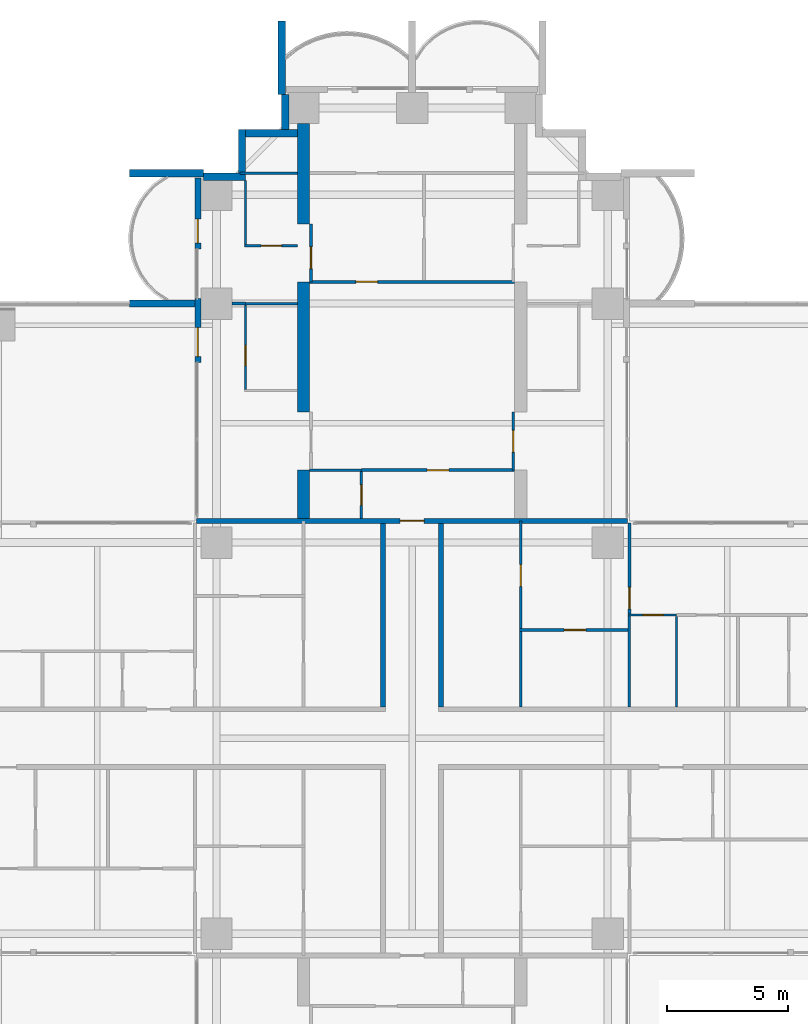
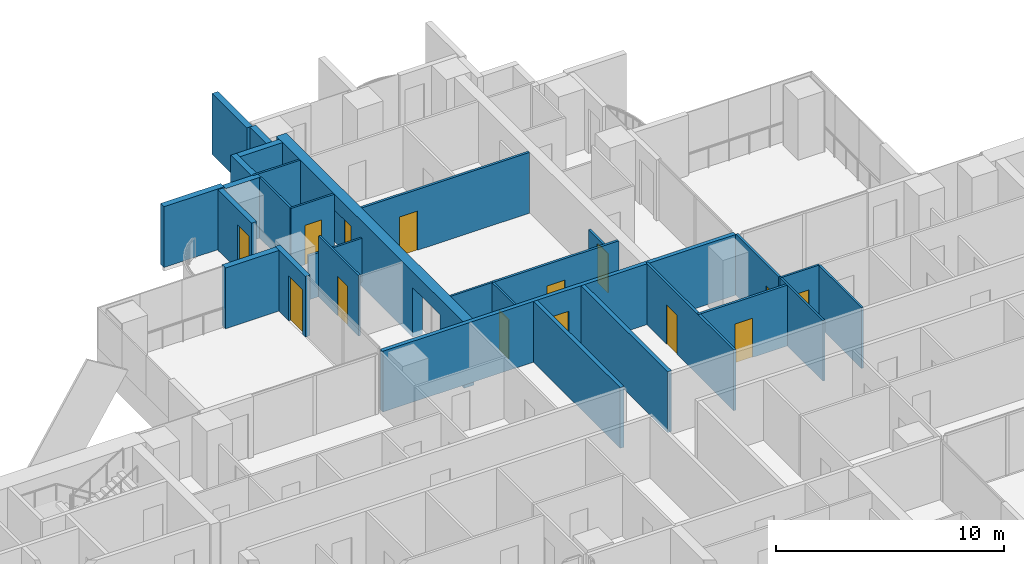
# One storey, part 15 of 23: 31 walls, 14 doors, 14 openings.
"""IFC4 building model written with IfcOpenShell, lengths in metres."""

from ifc_helpers import new_model, si_unit, direction, frame, frame_2d, origin, place, context, subcontext, project, spatial, polyline, rectangle, outline, extrude, material, layer, layer_set, material_profile, profile_set, type_object, element, fill, save


model = new_model("IFC4")

# Units and contexts
model_context = context("Model", 3, precision=1e-05, world=origin(), true_north=direction((0.0, 1.0)))
body_context = subcontext(model_context, "Body", "Model", "MODEL_VIEW")
ifc_project = project(units=[si_unit("LENGTHUNIT", "METRE"), si_unit("AREAUNIT", "SQUARE_METRE"), si_unit("VOLUMEUNIT", "CUBIC_METRE"), si_unit("PLANEANGLEUNIT", "RADIAN"), si_unit("MASSUNIT", "GRAM", prefix="KILO")], contexts=[model_context])

# Site, building, storey
site_placement = place(None, origin())
site = spatial("IfcSite", under=ifc_project, at=site_placement, CompositionType="ELEMENT")
building_placement = place(site_placement, origin())
building = spatial("IfcBuilding", under=site, at=building_placement, Name="Perihelion Cross Residences", CompositionType="ELEMENT")
storey_placement = place(building_placement, frame((0.0, 0.0, 85.5)))
storey = spatial("IfcBuildingStorey", under=building, at=storey_placement, Name="L19", CompositionType="ELEMENT", Elevation=85.5)

# Walls
ifc_material_1 = material(Name="Plasterboard partition")
ifc_layer_1 = layer(ifc_material_1, 0.199951171875)
ifc_layer_set_1 = layer_set([ifc_layer_1], Name="Apartment separation wall 200")
wall_type_1 = type_object("IfcWallType", Name="Apartment separation wall 200", PredefinedType="PARTITIONING", material=ifc_layer_set_1)
for number, where, z_axis, x_axis, name in (
    (1, (1.199951171875, 8.89990234375, 0.0), (0.0, 0.0, 1.0), (0.0, -1.0, 0.0), "Partition L19 W002"),
    (2, (-1.199951171875, 1.300048828125, 0.0), (0.0, 0.0, 1.0), (0.0, 1.0, 0.0), "Partition L19 W006"),
):
    element("IfcWall", number, at=place(storey_placement, frame(where, z_axis=z_axis, x_axis=x_axis)), inside=storey, type_object=wall_type_1, Name=name, PredefinedType="PARTITIONING", context=body_context, shape_type="SweptSolid", body=[
        extrude(rectangle(XDim=7.599853515625, YDim=0.199951171875, at=frame_2d((3.7998046875, 0.0))), origin(), (0.0, 0.0, 1.0), 3.25),
    ])

# Wall, opening, door
wall_1_placement = place(storey_placement, frame((-8.919921875, 9.0, 0.0), z_axis=(0.0, 0.0, 1.0), x_axis=(1.0, 0.0, 0.0)))
wall_1 = element("IfcWall", 3, at=wall_1_placement, inside=storey, type_object=wall_type_1, Name="Partition L19 W009", PredefinedType="PARTITIONING", context=body_context, shape_type="SweptSolid", body=[
    extrude(rectangle(XDim=17.83984375, YDim=0.199951171875, at=frame_2d((8.919921875, 0.0))), origin(), (0.0, 0.0, 1.0), 3.25),
])
opening_1_placement = place(wall_1_placement, frame((8.419921875, 0.0, 0.0)))
opening_1 = element("IfcOpeningElement", 4, at=opening_1_placement, cuts=wall_1, Name="Opening L19.A34", PredefinedType="OPENING", context=body_context, shape_type="SweptSolid", body=[
    extrude(rectangle(XDim=1.0, YDim=2.10009765625, at=frame_2d((0.5, 1.050048828125))), frame((0.0, 0.10986328125, 0.0), z_axis=(0.0, -1.0, 0.0), x_axis=(1.0, 0.0, 0.0)), (0.0, 0.0, 1.0), 0.219970703125),
])
ifc_material_2 = material(Name="Timber door leaf", Category="wood")
door_type_1 = type_object("IfcDoorType", Name="Flat entrance door 1000 x 2100", OperationType="SINGLE_SWING_LEFT", PredefinedType="DOOR", material=ifc_material_2)
door_1_placement = place(opening_1_placement, origin())
door_1 = element("IfcDoor", 5, at=door_1_placement, inside=storey, type_object=door_type_1, Name="Door L19.A34", OperationType="SINGLE_SWING_RIGHT", OverallHeight=2.10009765625, OverallWidth=1.0, PredefinedType="DOOR", context=body_context, shape_type="SweptSolid", body=[
    extrude(rectangle(XDim=1.0, YDim=2.10009765625, at=frame_2d((0.5, 1.050048828125))), frame((0.0, 0.02490234375, 0.0), z_axis=(0.0, -1.0, 0.0), x_axis=(1.0, 0.0, 0.0)), (0.0, 0.0, 1.0), 0.050048828125),
])
fill(opening_1, door_1)

ifc_material_3 = material(Name="Concrete C30/37, bronze-clad", Category="concrete")
ifc_layer_2 = layer(ifc_material_3, 0.25)
ifc_layer_set_2 = layer_set([ifc_layer_2], Name="Bronze-clad pier wall 250")
wall_type_2 = type_object("IfcWallType", Name="Bronze-clad pier wall 250", PredefinedType="SOLIDWALL", material=ifc_layer_set_2)
wall_2_placement = place(storey_placement, frame((-8.875, 23.199951171875, 0.0), z_axis=(0.0, 0.0, 1.0), x_axis=(0.0, -1.0, 0.0)))
wall_2 = element("IfcWall", 6, at=wall_2_placement, inside=storey, type_object=wall_type_2, Name="Wall FW1 L19 north side west bay 1 pier", PredefinedType="SOLIDWALL", context=body_context, shape_type="SweptSolid", body=[
    extrude(rectangle(XDim=2.949951171875, YDim=0.25, at=frame_2d((1.47509765625, 0.0))), origin(), (0.0, 0.0, 1.0), 3.25),
])
opening_2_placement = place(wall_2_placement, frame((1.699951171875, 0.0, 0.0)))
opening_2 = element("IfcOpeningElement", 7, at=opening_2_placement, cuts=wall_2, Name="Opening L19.E06", PredefinedType="OPENING", context=body_context, shape_type="SweptSolid", body=[
    extrude(rectangle(XDim=1.0, YDim=2.39990234375, at=frame_2d((0.5, 1.199951171875))), frame((0.0, 0.135009765625, 0.0), z_axis=(0.0, -1.0, 0.0), x_axis=(1.0, 0.0, 0.0)), (0.0, 0.0, 1.0), 0.27001953125),
])
ifc_material_4 = material(Name="Bronze anodised aluminium, glazed", Category="aluminium")
door_type_2 = type_object("IfcDoorType", Name="Balcony door 1000 x 2400", OperationType="NOTDEFINED", PredefinedType="DOOR", material=ifc_material_4)
door_2_placement = place(opening_2_placement, origin())
door_2 = element("IfcDoor", 8, at=door_2_placement, inside=storey, type_object=door_type_2, Name="Door L19.E06 north side west bay 1", OperationType="SINGLE_SWING_LEFT", OverallHeight=2.39990234375, OverallWidth=1.0, PredefinedType="DOOR", context=body_context, shape_type="SweptSolid", body=[
    extrude(rectangle(XDim=1.0, YDim=2.39990234375, at=frame_2d((0.5, 1.199951171875))), frame((0.0, 0.02490234375, 0.0), z_axis=(0.0, -1.0, 0.0), x_axis=(1.0, 0.0, 0.0)), (0.0, 0.0, 1.0), 0.050048828125),
])
fill(opening_2, door_2)

wall_3_placement = place(storey_placement, frame((-8.875, 18.199951171875, 0.0), z_axis=(0.0, 0.0, 1.0), x_axis=(0.0, -1.0, 0.0)))
wall_3 = element("IfcWall", 9, at=wall_3_placement, inside=storey, type_object=wall_type_2, Name="Wall FW1 L19 north side west bay 2 pier", PredefinedType="SOLIDWALL", context=body_context, shape_type="SweptSolid", body=[
    extrude(rectangle(XDim=2.64990234375, YDim=0.25, at=frame_2d((1.324951171875, 0.0))), origin(), (0.0, 0.0, 1.0), 3.25),
])
opening_3_placement = place(wall_3_placement, frame((1.199951171875, 0.0, 0.0)))
opening_3 = element("IfcOpeningElement", 10, at=opening_3_placement, cuts=wall_3, Name="Opening L19.E07", PredefinedType="OPENING", context=body_context, shape_type="SweptSolid", body=[
    extrude(rectangle(XDim=1.199951171875, YDim=2.39990234375, at=frame_2d((0.60009765625, 1.199951171875))), frame((0.0, 0.135009765625, 0.0), z_axis=(0.0, -1.0, 0.0), x_axis=(1.0, 0.0, 0.0)), (0.0, 0.0, 1.0), 0.27001953125),
])
ifc_material_5 = material(Name="Bronze anodised aluminium, glazed", Category="aluminium")
door_type_3 = type_object("IfcDoorType", Name="Balcony door 1200 x 2400", OperationType="NOTDEFINED", PredefinedType="DOOR", material=ifc_material_5)
door_3_placement = place(opening_3_placement, origin())
door_3 = element("IfcDoor", 11, at=door_3_placement, inside=storey, type_object=door_type_3, Name="Door L19.E07 north side west bay 2", OperationType="SINGLE_SWING_RIGHT", OverallHeight=2.39990234375, OverallWidth=1.199951171875, PredefinedType="DOOR", context=body_context, shape_type="SweptSolid", body=[
    extrude(rectangle(XDim=1.199951171875, YDim=2.39990234375, at=frame_2d((0.60009765625, 1.199951171875))), frame((0.0, 0.02490234375, 0.0), z_axis=(0.0, -1.0, 0.0), x_axis=(1.0, 0.0, 0.0)), (0.0, 0.0, 1.0), 0.050048828125),
])
fill(opening_3, door_3)

# Walls
ifc_material_6 = material(Name="Concrete C30/37, bronze-clad", Category="concrete")
ifc_layer_3 = layer(ifc_material_6, 0.300048828125)
ifc_layer_set_3 = layer_set([ifc_layer_3], Name="Bronze-clad serration wall 300")
wall_type_3 = type_object("IfcWallType", Name="Bronze-clad serration wall 300", PredefinedType="SOLIDWALL", material=ifc_layer_set_3)
wall_4_placement = place(storey_placement, frame((-5.25, 26.64990234375, 0.0), z_axis=(0.0, 0.0, 1.0), x_axis=(0.0, -1.0, 0.0)))
element("IfcWall", 12, at=wall_4_placement, inside=storey, type_object=wall_type_3, Name="Wall SR1 L19 north corner north-west 1", PredefinedType="SOLIDWALL", context=body_context, shape_type="SweptSolid", body=[
    extrude(rectangle(XDim=1.449951171875, YDim=0.300048828125, at=frame_2d((0.72509765625, 0.0))), origin(), (0.0, 0.0, 1.0), 3.25),
])
wall_5_placement = place(storey_placement, frame((-4.75, 25.050048828125, 0.0), z_axis=(0.0, 0.0, 1.0), x_axis=(-1.0, 0.0, 0.0)))
element("IfcWall", 13, at=wall_5_placement, inside=storey, type_object=wall_type_3, Name="Wall SR1 L19 north corner north-west 2", PredefinedType="SOLIDWALL", context=body_context, shape_type="SweptSolid", body=[
    extrude(rectangle(XDim=2.14990234375, YDim=0.300048828125, at=frame_2d((1.074951171875, 0.0))), origin(), (0.0, 0.0, 1.0), 3.25),
])
wall_6_placement = place(storey_placement, frame((-7.050048828125, 25.199951171875, 0.0), z_axis=(0.0, 0.0, 1.0), x_axis=(0.0, -1.0, 0.0)))
element("IfcWall", 14, at=wall_6_placement, inside=storey, type_object=wall_type_3, Name="Wall SR1 L19 north corner north-west 3", PredefinedType="SOLIDWALL", context=body_context, shape_type="SweptSolid", body=[
    extrude(rectangle(XDim=1.800048828125, YDim=0.300048828125, at=frame_2d((0.89990234375, 0.0))), origin(), (0.0, 0.0, 1.0), 3.25),
])
wall_7_placement = place(storey_placement, frame((-6.89990234375, 23.25, 0.0), z_axis=(0.0, 0.0, 1.0), x_axis=(-1.0, 0.0, 0.0)))
element("IfcWall", 15, at=wall_7_placement, inside=storey, type_object=wall_type_3, Name="Wall SR1 L19 north corner north-west 4", PredefinedType="SOLIDWALL", context=body_context, shape_type="SweptSolid", body=[
    extrude(rectangle(XDim=1.75, YDim=0.300048828125, at=frame_2d((0.875, 0.0))), origin(), (0.0, 0.0, 1.0), 3.25),
])

# Wall, opening, door
ifc_material_7 = material(Name="Plasterboard partition")
ifc_layer_4 = layer(ifc_material_7, 0.1201171875)
ifc_layer_set_4 = layer_set([ifc_layer_4], Name="Infill panel 120")
wall_type_4 = type_object("IfcWallType", Name="Infill panel 120", PredefinedType="PARTITIONING", material=ifc_layer_set_4)
wall_8_placement = place(storey_placement, frame((4.18994140625, 11.10009765625, 0.0), z_axis=(0.0, 0.0, 1.0), x_axis=(0.0, 1.0, 0.0)))
wall_8 = element("IfcWall", 16, at=wall_8_placement, inside=storey, type_object=wall_type_4, Name="Partition L19 WI01", PredefinedType="PARTITIONING", context=body_context, shape_type="SweptSolid", body=[
    extrude(rectangle(XDim=2.39990234375, YDim=0.1201171875, at=frame_2d((1.199951171875, 0.0))), origin(), (0.0, 0.0, 1.0), 2.39990234375),
])
opening_4_placement = place(wall_8_placement, frame((0.75, 0.0, 0.0)))
opening_4 = element("IfcOpeningElement", 17, at=opening_4_placement, cuts=wall_8, Name="Opening L19.A57", PredefinedType="OPENING", context=body_context, shape_type="SweptSolid", body=[
    extrude(rectangle(XDim=0.89990234375, YDim=2.10009765625, at=frame_2d((0.449951171875, 1.050048828125))), frame((0.0, 0.070068359375, 0.0), z_axis=(0.0, -1.0, 0.0), x_axis=(1.0, 0.0, 0.0)), (0.0, 0.0, 1.0), 0.14013671875),
])
ifc_material_8 = material(Name="Timber door leaf", Category="wood")
door_type_4 = type_object("IfcDoorType", Name="Interior room door 900 x 2100", OperationType="SINGLE_SWING_LEFT", PredefinedType="DOOR", material=ifc_material_8)
door_4_placement = place(opening_4_placement, origin())
door_4 = element("IfcDoor", 18, at=door_4_placement, inside=storey, type_object=door_type_4, Name="Door L19.A57", OperationType="SINGLE_SWING_LEFT", OverallHeight=2.10009765625, OverallWidth=0.89990234375, PredefinedType="DOOR", context=body_context, shape_type="SweptSolid", body=[
    extrude(rectangle(XDim=0.89990234375, YDim=2.10009765625, at=frame_2d((0.449951171875, 1.050048828125))), frame((0.0, 0.02490234375, 0.0), z_axis=(0.0, -1.0, 0.0), x_axis=(1.0, 0.0, 0.0)), (0.0, 0.0, 1.0), 0.050048828125),
])
fill(opening_4, door_4)

wall_9_placement = place(storey_placement, frame((-4.18994140625, 18.89990234375, 0.0), z_axis=(0.0, 0.0, 1.0), x_axis=(0.0, 1.0, 0.0)))
wall_9 = element("IfcWall", 19, at=wall_9_placement, inside=storey, type_object=wall_type_4, Name="Partition L19 WI04", PredefinedType="PARTITIONING", context=body_context, shape_type="SweptSolid", body=[
    extrude(rectangle(XDim=2.400146484375, YDim=0.1201171875, at=frame_2d((1.2001953125, 0.0))), origin(), (0.0, 0.0, 1.0), 2.39990234375),
])
opening_5_placement = place(wall_9_placement, frame((0.550048828125, 0.0, 0.0)))
opening_5 = element("IfcOpeningElement", 20, at=opening_5_placement, cuts=wall_9, Name="Opening L19.A60", PredefinedType="OPENING", context=body_context, shape_type="SweptSolid", body=[
    extrude(rectangle(XDim=0.89990234375, YDim=2.10009765625, at=frame_2d((0.449951171875, 1.050048828125))), frame((0.0, 0.070068359375, 0.0), z_axis=(0.0, -1.0, 0.0), x_axis=(1.0, 0.0, 0.0)), (0.0, 0.0, 1.0), 0.14013671875),
])
door_5_placement = place(opening_5_placement, origin())
door_5 = element("IfcDoor", 21, at=door_5_placement, inside=storey, type_object=door_type_4, Name="Door L19.A60", OperationType="SINGLE_SWING_LEFT", OverallHeight=2.10009765625, OverallWidth=0.89990234375, PredefinedType="DOOR", context=body_context, shape_type="SweptSolid", body=[
    extrude(rectangle(XDim=0.89990234375, YDim=2.10009765625, at=frame_2d((0.449951171875, 1.050048828125))), frame((0.0, 0.02490234375, 0.0), z_axis=(0.0, -1.0, 0.0), x_axis=(1.0, 0.0, 0.0)), (0.0, 0.0, 1.0), 0.050048828125),
])
fill(opening_5, door_5)

ifc_material_9 = material(Name="Plasterboard partition")
ifc_layer_5 = layer(ifc_material_9, 0.1201171875)
ifc_layer_set_5 = layer_set([ifc_layer_5], Name="Partition wall 120")
wall_type_5 = type_object("IfcWallType", Name="Partition wall 120", PredefinedType="PARTITIONING", material=ifc_layer_set_5)
wall_10_placement = place(storey_placement, frame((9.0, 5.10009765625, 0.0), z_axis=(0.0, 0.0, 1.0), x_axis=(0.0, 1.0, 0.0)))
wall_10 = element("IfcWall", 22, at=wall_10_placement, inside=storey, type_object=wall_type_5, Name="Partition L19 W018", PredefinedType="PARTITIONING", context=body_context, shape_type="SweptSolid", body=[
    extrude(rectangle(XDim=3.81982421875, YDim=0.1201171875, at=frame_2d((1.909912109375, 0.0))), origin(), (0.0, 0.0, 1.0), 3.25),
])
opening_6_placement = place(wall_10_placement, frame((0.25, 0.0, 0.0)))
opening_6 = element("IfcOpeningElement", 23, at=opening_6_placement, cuts=wall_10, Name="Opening L19.A05", PredefinedType="OPENING", context=body_context, shape_type="SweptSolid", body=[
    extrude(rectangle(XDim=0.89990234375, YDim=2.10009765625, at=frame_2d((0.449951171875, 1.050048828125))), frame((0.0, 0.070068359375, 0.0), z_axis=(0.0, -1.0, 0.0), x_axis=(1.0, 0.0, 0.0)), (0.0, 0.0, 1.0), 0.14013671875),
])
door_6_placement = place(opening_6_placement, origin())
door_6 = element("IfcDoor", 24, at=door_6_placement, inside=storey, type_object=door_type_4, Name="Door L19.A05", OperationType="SINGLE_SWING_LEFT", OverallHeight=2.10009765625, OverallWidth=0.89990234375, PredefinedType="DOOR", context=body_context, shape_type="SweptSolid", body=[
    extrude(rectangle(XDim=0.89990234375, YDim=2.10009765625, at=frame_2d((0.449951171875, 1.050048828125))), frame((0.0, 0.02490234375, 0.0), z_axis=(0.0, -1.0, 0.0), x_axis=(1.0, 0.0, 0.0)), (0.0, 0.0, 1.0), 0.050048828125),
])
fill(opening_6, door_6)

wall_11_placement = place(storey_placement, frame((4.43994140625, 4.47607421875, 0.0), z_axis=(0.0, 0.0, 1.0), x_axis=(1.0, 0.0, 0.0)))
wall_11 = element("IfcWall", 25, at=wall_11_placement, inside=storey, type_object=wall_type_5, Name="Partition L19 W019", PredefinedType="PARTITIONING", context=body_context, shape_type="SweptSolid", body=[
    extrude(rectangle(XDim=4.610107421875, YDim=0.1201171875, at=frame_2d((2.30517578125, 0.0))), origin(), (0.0, 0.0, 1.0), 3.25),
])
opening_7_placement = place(wall_11_placement, frame((1.860107421875, 0.0, 0.0)))
opening_7 = element("IfcOpeningElement", 26, at=opening_7_placement, cuts=wall_11, Name="Opening L19.A03", PredefinedType="OPENING", context=body_context, shape_type="SweptSolid", body=[
    extrude(rectangle(XDim=0.89990234375, YDim=2.10009765625, at=frame_2d((0.449951171875, 1.050048828125))), frame((0.0, 0.070068359375, 0.0), z_axis=(0.0, -1.0, 0.0), x_axis=(1.0, 0.0, 0.0)), (0.0, 0.0, 1.0), 0.14013671875),
])
door_7_placement = place(opening_7_placement, origin())
door_7 = element("IfcDoor", 27, at=door_7_placement, inside=storey, type_object=door_type_4, Name="Door L19.A03", OperationType="SINGLE_SWING_RIGHT", OverallHeight=2.10009765625, OverallWidth=0.89990234375, PredefinedType="DOOR", context=body_context, shape_type="SweptSolid", body=[
    extrude(rectangle(XDim=0.89990234375, YDim=2.10009765625, at=frame_2d((0.449951171875, 1.050048828125))), frame((0.0, 0.02490234375, 0.0), z_axis=(0.0, -1.0, 0.0), x_axis=(1.0, 0.0, 0.0)), (0.0, 0.0, 1.0), 0.050048828125),
])
fill(opening_7, door_7)

wall_12_placement = place(storey_placement, frame((4.5, 1.300048828125, 0.0), z_axis=(0.0, 0.0, 1.0), x_axis=(0.0, 1.0, 0.0)))
wall_12 = element("IfcWall", 28, at=wall_12_placement, inside=storey, type_object=wall_type_5, Name="Partition L19 W020", PredefinedType="PARTITIONING", context=body_context, shape_type="SweptSolid", body=[
    extrude(rectangle(XDim=7.699951171875, YDim=0.1201171875, at=frame_2d((3.85009765625, 0.0))), origin(), (0.0, 0.0, 1.0), 3.25),
])
opening_8_placement = place(wall_12_placement, frame((4.988037109375, 0.0, 0.0)))
opening_8 = element("IfcOpeningElement", 29, at=opening_8_placement, cuts=wall_12, Name="Opening L19.A04", PredefinedType="OPENING", context=body_context, shape_type="SweptSolid", body=[
    extrude(rectangle(XDim=0.89990234375, YDim=2.10009765625, at=frame_2d((0.449951171875, 1.050048828125))), frame((0.0, 0.070068359375, 0.0), z_axis=(0.0, -1.0, 0.0), x_axis=(1.0, 0.0, 0.0)), (0.0, 0.0, 1.0), 0.14013671875),
])
door_8_placement = place(opening_8_placement, origin())
door_8 = element("IfcDoor", 30, at=door_8_placement, inside=storey, type_object=door_type_4, Name="Door L19.A04", OperationType="SINGLE_SWING_LEFT", OverallHeight=2.10009765625, OverallWidth=0.89990234375, PredefinedType="DOOR", context=body_context, shape_type="SweptSolid", body=[
    extrude(rectangle(XDim=0.89990234375, YDim=2.10009765625, at=frame_2d((0.449951171875, 1.050048828125))), frame((0.0, 0.02490234375, 0.0), z_axis=(0.0, -1.0, 0.0), x_axis=(1.0, 0.0, 0.0)), (0.0, 0.0, 1.0), 0.050048828125),
])
fill(opening_8, door_8)

wall_13_placement = place(storey_placement, frame((-2.10009765625, 11.10009765625, 0.0), z_axis=(0.0, 0.0, 1.0), x_axis=(1.0, 0.0, 0.0)))
wall_13 = element("IfcWall", 31, at=wall_13_placement, inside=storey, type_object=wall_type_5, Name="Partition L19 W050", PredefinedType="PARTITIONING", context=body_context, shape_type="SweptSolid", body=[
    extrude(rectangle(XDim=6.35009765625, YDim=0.1201171875, at=frame_2d((3.175048828125, 0.0))), origin(), (0.0, 0.0, 1.0), 3.25),
])
opening_9_placement = place(wall_13_placement, frame((2.72509765625, 0.0, 0.0)))
opening_9 = element("IfcOpeningElement", 32, at=opening_9_placement, cuts=wall_13, Name="Opening L19.A36", PredefinedType="OPENING", context=body_context, shape_type="SweptSolid", body=[
    extrude(rectangle(XDim=0.89990234375, YDim=2.10009765625, at=frame_2d((0.449951171875, 1.050048828125))), frame((0.0, 0.070068359375, 0.0), z_axis=(0.0, -1.0, 0.0), x_axis=(1.0, 0.0, 0.0)), (0.0, 0.0, 1.0), 0.14013671875),
])
door_9_placement = place(opening_9_placement, origin())
door_9 = element("IfcDoor", 33, at=door_9_placement, inside=storey, type_object=door_type_4, Name="Door L19.A36", OperationType="SINGLE_SWING_RIGHT", OverallHeight=2.10009765625, OverallWidth=0.89990234375, PredefinedType="DOOR", context=body_context, shape_type="SweptSolid", body=[
    extrude(rectangle(XDim=0.89990234375, YDim=2.10009765625, at=frame_2d((0.449951171875, 1.050048828125))), frame((0.0, 0.02490234375, 0.0), z_axis=(0.0, -1.0, 0.0), x_axis=(1.0, 0.0, 0.0)), (0.0, 0.0, 1.0), 0.050048828125),
])
fill(opening_9, door_9)

wall_14_placement = place(storey_placement, frame((-4.25, 18.89990234375, 0.0), z_axis=(0.0, 0.0, 1.0), x_axis=(1.0, 0.0, 0.0)))
wall_14 = element("IfcWall", 34, at=wall_14_placement, inside=storey, type_object=wall_type_5, Name="Partition L19 W052", PredefinedType="PARTITIONING", context=body_context, shape_type="SweptSolid", body=[
    extrude(rectangle(XDim=8.5, YDim=0.1201171875, at=frame_2d((4.25, 0.0))), origin(), (0.0, 0.0, 1.0), 3.25),
])
opening_10_placement = place(wall_14_placement, frame((1.925048828125, 0.0, 0.0)))
opening_10 = element("IfcOpeningElement", 35, at=opening_10_placement, cuts=wall_14, Name="Opening L19.A37", PredefinedType="OPENING", context=body_context, shape_type="SweptSolid", body=[
    extrude(rectangle(XDim=0.89990234375, YDim=2.10009765625, at=frame_2d((0.449951171875, 1.050048828125))), frame((0.0, 0.070068359375, 0.0), z_axis=(0.0, -1.0, 0.0), x_axis=(1.0, 0.0, 0.0)), (0.0, 0.0, 1.0), 0.14013671875),
])
door_10_placement = place(opening_10_placement, origin())
door_10 = element("IfcDoor", 36, at=door_10_placement, inside=storey, type_object=door_type_4, Name="Door L19.A37", OperationType="SINGLE_SWING_RIGHT", OverallHeight=2.10009765625, OverallWidth=0.89990234375, PredefinedType="DOOR", context=body_context, shape_type="SweptSolid", body=[
    extrude(rectangle(XDim=0.89990234375, YDim=2.10009765625, at=frame_2d((0.449951171875, 1.050048828125))), frame((0.0, 0.02490234375, 0.0), z_axis=(0.0, -1.0, 0.0), x_axis=(1.0, 0.0, 0.0)), (0.0, 0.0, 1.0), 0.050048828125),
])
fill(opening_10, door_10)

# Walls
wall_15_placement = place(storey_placement, frame((-7.449951171875, 18.0, 0.0), z_axis=(0.0, 0.0, 1.0), x_axis=(1.0, 0.0, 0.0)))
element("IfcWall", 37, at=wall_15_placement, inside=storey, type_object=wall_type_5, Name="Partition L19 W064", PredefinedType="PARTITIONING", context=body_context, shape_type="SweptSolid", body=[
    extrude(rectangle(XDim=0.550048828125, YDim=0.1201171875, at=frame_2d((0.27490234375, 0.0))), origin(), (0.0, 0.0, 1.0), 2.345947265625),
])
ifc_material_10 = material(Name="Precast concrete C50/60", Category="concrete")
ifc_layer_6 = layer(ifc_material_10, 0.300048828125)
ifc_layer_set_6 = layer_set([ifc_layer_6], Name="Precast concrete C50/60 blade wall 300")
wall_type_6 = type_object("IfcWallType", Name="Precast concrete C50/60 blade wall 300", PredefinedType="SOLIDWALL", material=ifc_layer_set_6)
wall_16_placement = place(storey_placement, frame((-8.75, 18.0, 0.0), z_axis=(0.0, 0.0, 1.0), x_axis=(-1.0, 0.0, 0.0)))
element("IfcWall", 38, at=wall_16_placement, inside=storey, type_object=wall_type_6, Name="Wall BL1 L19 no. 7", PredefinedType="SOLIDWALL", context=body_context, shape_type="SweptSolid", body=[
    extrude(rectangle(XDim=2.949951171875, YDim=0.300048828125, at=frame_2d((1.47509765625, 0.0))), origin(), (0.0, 0.0, 1.0), 3.25),
])
for number, where, z_axis, x_axis, name in (
    (39, (-8.64990234375, 23.39990234375, 0.0), (0.0, 0.0, 1.0), (-1.0, 0.0, 0.0), "Wall BL1 L19 no. 8"),
    (40, (-5.39990234375, 26.64990234375, 0.0), (0.0, 0.0, 1.0), (0.0, 1.0, 0.0), "Wall BL1 L19 no. 4"),
):
    element("IfcWall", number, at=place(storey_placement, frame(where, z_axis=z_axis, x_axis=x_axis)), inside=storey, type_object=wall_type_6, Name=name, PredefinedType="SOLIDWALL", context=body_context, shape_type="SweptSolid", body=[
        extrude(rectangle(XDim=3.050048828125, YDim=0.300048828125, at=frame_2d((1.52490234375, 0.0))), origin(), (0.0, 0.0, 1.0), 3.25),
    ])
ifc_material_11 = material(Name="Concrete C60/75", Category="concrete")
ifc_material_profile = material_profile(ifc_material_11, outline(polyline([(0.0, 0.0), (2.10009765625, 0.0), (2.10009765625, 2.64990234375), (4.5, 2.64990234375), (4.5, 0.0), (9.89990234375, 0.0), (9.89990234375, 2.64990234375), (12.300048828125, 2.64990234375), (12.300048828125, 0.0), (16.449951171875, 0.0), (16.449951171875, 3.5), (0.0, 3.5), (0.0, 0.0)])), Name="Tip spine wall")
ifc_profile_set = profile_set([ifc_material_profile], Name="Concrete C60/75")
wall_type_7 = type_object("IfcWallType", Name="Tip spine wall 500 with 2 door openings 16450 long 3500 high concrete C60/75 hand B", PredefinedType="SHEAR", material=ifc_profile_set)
wall_17_placement = place(storey_placement, frame((-4.75, 9.0, -0.25), z_axis=(1.0, 0.0, 0.0), x_axis=(0.0, 1.0, 0.0)))
element("IfcWall", 41, at=wall_17_placement, inside=storey, type_object=wall_type_7, Name="Shear wall SW23 L19 north west", PredefinedType="SHEAR", context=body_context, shape_type="SweptSolid", body=[
    extrude(outline(polyline([(0.0, 0.0), (2.10009765625, 0.0), (2.10009765625, 2.64990234375), (4.5, 2.64990234375), (4.5, 0.0), (9.89990234375, 0.0), (9.89990234375, 2.64990234375), (12.300048828125, 2.64990234375), (12.300048828125, 0.0), (16.449951171875, 0.0), (16.449951171875, 3.5), (0.0, 3.5), (0.0, 0.0)])), origin(), (0.0, 0.0, 1.0), 0.5),
])
ifc_material_12 = material(Name="Plasterboard partition")
ifc_layer_7 = layer(ifc_material_12, 0.10009765625)
ifc_layer_set_7 = layer_set([ifc_layer_7], Name="Wet room wall 100")
wall_type_8 = type_object("IfcWallType", Name="Wet room wall 100", PredefinedType="PARTITIONING", material=ifc_layer_set_7)
wall_18_placement = place(storey_placement, frame((10.949951171875, 5.0400390625, 0.0), z_axis=(0.0, 0.0, 1.0), x_axis=(0.0, -1.0, 0.0)))
element("IfcWall", 42, at=wall_18_placement, inside=storey, type_object=wall_type_8, Name="Partition L19 W011", PredefinedType="PARTITIONING", context=body_context, shape_type="SweptSolid", body=[
    extrude(rectangle(XDim=3.739990234375, YDim=0.10009765625, at=frame_2d((1.8701171875, 0.0))), origin(), (0.0, 0.0, 1.0), 3.25),
])

# Wall, opening, door
wall_19_placement = place(storey_placement, frame((8.93994140625, 5.10009765625, 0.0), z_axis=(0.0, 0.0, 1.0), x_axis=(1.0, 0.0, 0.0)))
wall_19 = element("IfcWall", 43, at=wall_19_placement, inside=storey, type_object=wall_type_8, Name="Partition L19 W012", PredefinedType="PARTITIONING", context=body_context, shape_type="SweptSolid", body=[
    extrude(rectangle(XDim=2.010009765625, YDim=0.10009765625, at=frame_2d((1.0048828125, 0.0))), origin(), (0.0, 0.0, 1.0), 3.25),
])
opening_11_placement = place(wall_19_placement, frame((0.610107421875, 0.0, 0.0)))
opening_11 = element("IfcOpeningElement", 44, at=opening_11_placement, cuts=wall_19, Name="Opening L19.A01", PredefinedType="OPENING", context=body_context, shape_type="SweptSolid", body=[
    extrude(rectangle(XDim=0.85009765625, YDim=2.10009765625, at=frame_2d((0.425048828125, 1.050048828125))), frame((0.0, 0.06005859375, 0.0), z_axis=(0.0, -1.0, 0.0), x_axis=(1.0, 0.0, 0.0)), (0.0, 0.0, 1.0), 0.1201171875),
])
ifc_material_13 = material(Name="Timber door leaf", Category="wood")
door_type_5 = type_object("IfcDoorType", Name="Interior bathroom door 850 x 2100", OperationType="SINGLE_SWING_LEFT", PredefinedType="DOOR", material=ifc_material_13)
door_11_placement = place(opening_11_placement, origin())
door_11 = element("IfcDoor", 45, at=door_11_placement, inside=storey, type_object=door_type_5, Name="Door L19.A01", OperationType="SINGLE_SWING_LEFT", OverallHeight=2.10009765625, OverallWidth=0.85009765625, PredefinedType="DOOR", context=body_context, shape_type="SweptSolid", body=[
    extrude(rectangle(XDim=0.85009765625, YDim=2.10009765625, at=frame_2d((0.425048828125, 1.050048828125))), frame((0.0, 0.02490234375, 0.0), z_axis=(0.0, -1.0, 0.0), x_axis=(1.0, 0.0, 0.0)), (0.0, 0.0, 1.0), 0.050048828125),
])
fill(opening_11, door_11)

# Wall
wall_20_placement = place(storey_placement, frame((9.0, 1.300048828125, 0.0), z_axis=(0.0, 0.0, 1.0), x_axis=(0.0, 1.0, 0.0)))
element("IfcWall", 46, at=wall_20_placement, inside=storey, type_object=wall_type_8, Name="Partition L19 W013", PredefinedType="PARTITIONING", context=body_context, shape_type="SweptSolid", body=[
    extrude(rectangle(XDim=3.800048828125, YDim=0.10009765625, at=frame_2d((1.89990234375, 0.0))), origin(), (0.0, 0.0, 1.0), 3.25),
])

# Wall, opening, door
wall_21_placement = place(storey_placement, frame((-2.10009765625, 9.10009765625, 0.0), z_axis=(0.0, 0.0, 1.0), x_axis=(0.0, 1.0, 0.0)))
wall_21 = element("IfcWall", 47, at=wall_21_placement, inside=storey, type_object=wall_type_8, Name="Partition L19 W049", PredefinedType="PARTITIONING", context=body_context, shape_type="SweptSolid", body=[
    extrude(rectangle(XDim=1.93994140625, YDim=0.10009765625, at=frame_2d((0.969970703125, 0.0))), origin(), (0.0, 0.0, 1.0), 3.25),
])
opening_12_placement = place(wall_21_placement, frame((0.544921875, 0.0, 0.0)))
opening_12 = element("IfcOpeningElement", 48, at=opening_12_placement, cuts=wall_21, Name="Opening L19.A35", PredefinedType="OPENING", context=body_context, shape_type="SweptSolid", body=[
    extrude(rectangle(XDim=0.85009765625, YDim=2.10009765625, at=frame_2d((0.425048828125, 1.050048828125))), frame((0.0, 0.06005859375, 0.0), z_axis=(0.0, -1.0, 0.0), x_axis=(1.0, 0.0, 0.0)), (0.0, 0.0, 1.0), 0.1201171875),
])
door_12_placement = place(opening_12_placement, origin())
door_12 = element("IfcDoor", 49, at=door_12_placement, inside=storey, type_object=door_type_5, Name="Door L19.A35", OperationType="SINGLE_SWING_LEFT", OverallHeight=2.10009765625, OverallWidth=0.85009765625, PredefinedType="DOOR", context=body_context, shape_type="SweptSolid", body=[
    extrude(rectangle(XDim=0.85009765625, YDim=2.10009765625, at=frame_2d((0.425048828125, 1.050048828125))), frame((0.0, 0.02490234375, 0.0), z_axis=(0.0, -1.0, 0.0), x_axis=(1.0, 0.0, 0.0)), (0.0, 0.0, 1.0), 0.050048828125),
])
fill(opening_12, door_12)

# Wall
wall_22_placement = place(storey_placement, frame((-4.25, 11.10009765625, 0.0), z_axis=(0.0, 0.0, 1.0), x_axis=(1.0, 0.0, 0.0)))
element("IfcWall", 50, at=wall_22_placement, inside=storey, type_object=wall_type_8, Name="Partition L19 W051", PredefinedType="PARTITIONING", context=body_context, shape_type="SweptSolid", body=[
    extrude(rectangle(XDim=2.14990234375, YDim=0.10009765625, at=frame_2d((1.074951171875, 0.0))), origin(), (0.0, 0.0, 1.0), 3.25),
])

# Wall, opening, door
wall_23_placement = place(storey_placement, frame((-6.89990234375, 17.93994140625, 0.0), z_axis=(0.0, 0.0, 1.0), x_axis=(0.0, -1.0, 0.0)))
wall_23 = element("IfcWall", 51, at=wall_23_placement, inside=storey, type_object=wall_type_8, Name="Partition L19 W062", PredefinedType="PARTITIONING", context=body_context, shape_type="SweptSolid", body=[
    extrude(rectangle(XDim=3.489990234375, YDim=0.10009765625, at=frame_2d((1.7451171875, 0.0))), origin(), (0.0, 0.0, 1.0), 3.25),
])
opening_13_placement = place(wall_23_placement, frame((1.669921875, 0.0, 0.0)))
opening_13 = element("IfcOpeningElement", 52, at=opening_13_placement, cuts=wall_23, Name="Opening L19.A42", PredefinedType="OPENING", context=body_context, shape_type="SweptSolid", body=[
    extrude(rectangle(XDim=0.85009765625, YDim=2.10009765625, at=frame_2d((0.425048828125, 1.050048828125))), frame((0.0, 0.06005859375, 0.0), z_axis=(0.0, -1.0, 0.0), x_axis=(1.0, 0.0, 0.0)), (0.0, 0.0, 1.0), 0.1201171875),
])
door_13_placement = place(opening_13_placement, origin())
door_13 = element("IfcDoor", 53, at=door_13_placement, inside=storey, type_object=door_type_5, Name="Door L19.A42", OperationType="SINGLE_SWING_RIGHT", OverallHeight=2.10009765625, OverallWidth=0.85009765625, PredefinedType="DOOR", context=body_context, shape_type="SweptSolid", body=[
    extrude(rectangle(XDim=0.85009765625, YDim=2.10009765625, at=frame_2d((0.425048828125, 1.050048828125))), frame((0.0, 0.02490234375, 0.0), z_axis=(0.0, -1.0, 0.0), x_axis=(1.0, 0.0, 0.0)), (0.0, 0.0, 1.0), 0.050048828125),
])
fill(opening_13, door_13)

# Walls
wall_24_placement = place(storey_placement, frame((-6.89990234375, 18.0, 0.0), z_axis=(0.0, 0.0, 1.0), x_axis=(1.0, 0.0, 0.0)))
element("IfcWall", 54, at=wall_24_placement, inside=storey, type_object=wall_type_8, Name="Partition L19 W065", PredefinedType="PARTITIONING", context=body_context, shape_type="SweptSolid", body=[
    extrude(rectangle(XDim=2.14990234375, YDim=0.10009765625, at=frame_2d((1.074951171875, 0.0))), origin(), (0.0, 0.0, 1.0), 2.345947265625),
])
wall_25_placement = place(storey_placement, frame((-6.89990234375, 23.10009765625, 0.0), z_axis=(0.0, 0.0, 1.0), x_axis=(0.0, -1.0, 0.0)))
element("IfcWall", 55, at=wall_25_placement, inside=storey, type_object=wall_type_8, Name="Partition L19 W066", PredefinedType="PARTITIONING", context=body_context, shape_type="SweptSolid", body=[
    extrude(rectangle(XDim=2.650146484375, YDim=0.10009765625, at=frame_2d((1.3251953125, 0.0))), origin(), (0.0, 0.0, 1.0), 3.25),
])

# Wall, opening, door
wall_26_placement = place(storey_placement, frame((-6.949951171875, 20.39990234375, 0.0), z_axis=(0.0, 0.0, 1.0), x_axis=(1.0, 0.0, 0.0)))
wall_26 = element("IfcWall", 56, at=wall_26_placement, inside=storey, type_object=wall_type_8, Name="Partition L19 W067", PredefinedType="PARTITIONING", context=body_context, shape_type="SweptSolid", body=[
    extrude(rectangle(XDim=2.199951171875, YDim=0.10009765625, at=frame_2d((1.10009765625, 0.0))), origin(), (0.0, 0.0, 1.0), 3.25),
])
opening_14_placement = place(wall_26_placement, frame((0.699951171875, 0.0, 0.0)))
opening_14 = element("IfcOpeningElement", 57, at=opening_14_placement, cuts=wall_26, Name="Opening L19.A43", PredefinedType="OPENING", context=body_context, shape_type="SweptSolid", body=[
    extrude(rectangle(XDim=0.85009765625, YDim=2.10009765625, at=frame_2d((0.425048828125, 1.050048828125))), frame((0.0, 0.06005859375, 0.0), z_axis=(0.0, -1.0, 0.0), x_axis=(1.0, 0.0, 0.0)), (0.0, 0.0, 1.0), 0.1201171875),
])
door_14_placement = place(opening_14_placement, origin())
door_14 = element("IfcDoor", 58, at=door_14_placement, inside=storey, type_object=door_type_5, Name="Door L19.A43", OperationType="SINGLE_SWING_LEFT", OverallHeight=2.10009765625, OverallWidth=0.85009765625, PredefinedType="DOOR", context=body_context, shape_type="SweptSolid", body=[
    extrude(rectangle(XDim=0.85009765625, YDim=2.10009765625, at=frame_2d((0.425048828125, 1.050048828125))), frame((0.0, 0.02490234375, 0.0), z_axis=(0.0, -1.0, 0.0), x_axis=(1.0, 0.0, 0.0)), (0.0, 0.0, 1.0), 0.050048828125),
])
fill(opening_14, door_14)

# Wall
wall_27_placement = place(storey_placement, frame((-7.1201171875, 23.39990234375, 0.0), z_axis=(0.0, 0.0, 1.0), x_axis=(1.0, 0.0, 0.0)))
element("IfcWall", 59, at=wall_27_placement, inside=storey, type_object=wall_type_8, Name="Partition L19 W068", PredefinedType="PARTITIONING", context=body_context, shape_type="SweptSolid", body=[
    extrude(rectangle(XDim=2.3701171875, YDim=0.10009765625, at=frame_2d((1.18505859375, 0.0))), origin(), (0.0, 0.0, 1.0), 3.25),
])

save(model, "model.ifc")
